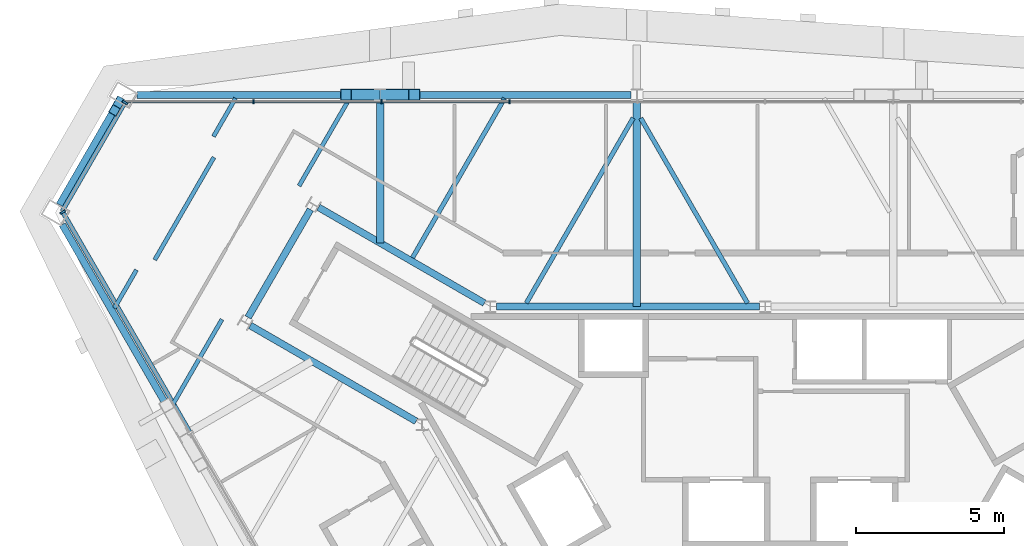
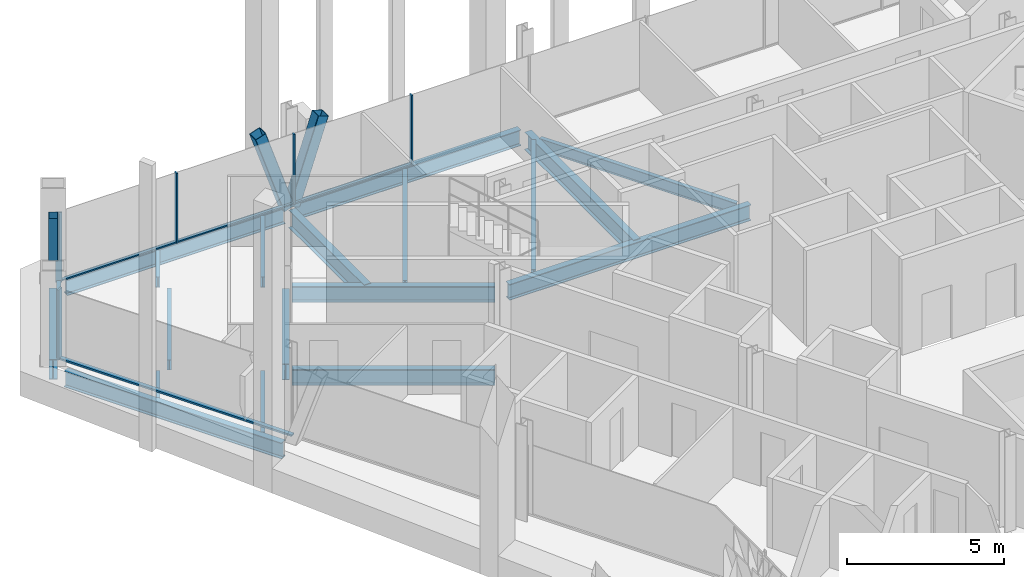
# One storey, part 5 of 14: 18 beams, 13 members, 3 elements without a shape of their own.
"""IFC4 building model written with IfcOpenShell, lengths in metres."""

import ifcopenshell
import ifcopenshell.guid

model = None  # the IFC model being written
_history = None  # IfcOwnerHistory: only IFC2X3 demands one
_inside = {}  # id of a spatial element -> (the spatial element, [elements in it])
_under = {}  # id of a project, library or spatial element -> (it, [spatial elements below it])
_declared = {}  # id of a project -> (the project, [libraries it declares])
_typed = {}  # id of a type object -> (the type object, [elements of that type])
_made_of = {}  # id of a material, layer set ... -> (it, [elements and type objects made of it])


def new_model(schema):
    """Start an empty IFC model of exactly this schema.

    Asked for "IFC4X3", IfcOpenShell would pick the latest addendum, in which some entities
    have other attributes; the version numbers below select the first issue.
    IFC2X3 requires an IfcOwnerHistory on every rooted entity: one is made here for all.
    """
    global model, _history
    if schema == "IFC4X3":
        model = ifcopenshell.file(schema_version=(4, 3, 0, 0))
    else:
        model = ifcopenshell.file(schema=schema)
    _inside.clear()
    _under.clear()
    _declared.clear()
    _typed.clear()
    _made_of.clear()
    _history = None
    if model.schema == "IFC2X3":
        org = make("IfcOrganization", Name="unknown")
        user = make(
            "IfcPersonAndOrganization",
            ThePerson=make("IfcPerson", FamilyName="unknown"),
            TheOrganization=org,
        )
        app = make(
            "IfcApplication",
            ApplicationDeveloper=org,
            Version="unknown",
            ApplicationFullName="unknown",
            ApplicationIdentifier="unknown",
        )
        _history = make(
            "IfcOwnerHistory",
            OwningUser=user,
            OwningApplication=app,
            ChangeAction="ADDED",
            CreationDate=0,
        )
    return model


def make(cls, **values):
    """One entity of the class cls with the attributes given. An attribute that is None is left unset."""
    return model.create_entity(
        cls, **{name: value for name, value in values.items() if value is not None}
    )


def rooted(cls, **values):
    """An entity with a GlobalId (a new one), such as an element, a storey or a relation."""
    return make(cls, GlobalId=ifcopenshell.guid.new(), OwnerHistory=_history, **values)


def si_unit(unit_type, name, prefix=None):
    """IfcSIUnit, for example si_unit("LENGTHUNIT", "METRE", prefix="MILLI")."""
    return make("IfcSIUnit", UnitType=unit_type, Prefix=prefix, Name=name)


def assignment(units):
    """IfcUnitAssignment: the units of a project."""
    return None if units is None else make("IfcUnitAssignment", Units=units)


def point(xyz):
    """IfcCartesianPoint."""
    return None if xyz is None else make("IfcCartesianPoint", Coordinates=xyz)


def direction(xyz):
    """IfcDirection."""
    return None if xyz is None else make("IfcDirection", DirectionRatios=xyz)


def frame(location, z_axis=None, x_axis=None):
    """IfcAxis2Placement3D, a coordinate frame: its origin and axes. An axis left out is left unset."""
    return make(
        "IfcAxis2Placement3D",
        Location=point(location),
        Axis=direction(z_axis),
        RefDirection=direction(x_axis),
    )


def frame_2d(location, x_axis=None):
    """IfcAxis2Placement2D, a coordinate frame in the plane: its origin and x axis."""
    return make(
        "IfcAxis2Placement2D", Location=point(location), RefDirection=direction(x_axis)
    )


def origin():
    """The frame at (0, 0, 0) with its axes left unset."""
    return frame((0.0, 0.0, 0.0))


def origin_2d():
    """The frame at (0, 0) in the plane with its x axis left unset."""
    return frame_2d((0.0, 0.0))


def place(relative_to, where):
    """IfcLocalPlacement: puts the frame where relative to a parent placement (None: the world)."""
    return make(
        "IfcLocalPlacement", PlacementRelTo=relative_to, RelativePlacement=where
    )


def context(
    kind, dimensions, precision=None, world=None, true_north=None, identifier=None
):
    """IfcGeometricRepresentationContext, for example the 3D "Model" context."""
    return make(
        "IfcGeometricRepresentationContext",
        ContextIdentifier=identifier,
        ContextType=kind,
        CoordinateSpaceDimension=dimensions,
        Precision=precision,
        WorldCoordinateSystem=world,
        TrueNorth=true_north,
    )


def subcontext(parent, identifier, kind, view, scale=None):
    """IfcGeometricRepresentationSubContext, for example "Body" below "Model"."""
    return make(
        "IfcGeometricRepresentationSubContext",
        ContextIdentifier=identifier,
        ContextType=kind,
        ParentContext=parent,
        TargetScale=scale,
        TargetView=view,
    )


def project(units=None, contexts=None):
    """IfcProject with its units and contexts."""
    return rooted(
        "IfcProject",
        Name="project",
        RepresentationContexts=contexts,
        UnitsInContext=assignment(units),
    )


def spatial(cls, under=None, at=None, **own):
    """A site, building, storey or space (cls), placed at a placement, below another one or the project."""
    s = rooted(cls, ObjectPlacement=at, **own)
    if under is not None:
        _under.setdefault(under.id(), (under, []))[1].append(s)
    return s


def profile(cls, at=None, kind="AREA", **sizes):
    """A parametric profile (cls). Its sizes go by their IFC names, for example OverallWidth=200.0."""
    return make(cls, ProfileType=kind, Position=at, **sizes)


def rectangle(**sizes):
    """IfcRectangleProfileDef."""
    return profile("IfcRectangleProfileDef", **sizes)


def hollow_rectangle(**sizes):
    """IfcRectangleHollowProfileDef."""
    return profile("IfcRectangleHollowProfileDef", **sizes)


def i_section(**sizes):
    """IfcIShapeProfileDef."""
    return profile("IfcIShapeProfileDef", **sizes)


def extrude(swept, where, along, depth):
    """IfcExtrudedAreaSolid: the profile swept, set in the frame where, extruded along a direction by depth."""
    return make(
        "IfcExtrudedAreaSolid",
        SweptArea=swept,
        Position=where,
        ExtrudedDirection=direction(along),
        Depth=depth,
    )


def shape(context_of_items, identifier, shape_type, items):
    """IfcShapeRepresentation: the items that make up one representation, for example the "Body"."""
    return make(
        "IfcShapeRepresentation",
        ContextOfItems=context_of_items,
        RepresentationIdentifier=identifier,
        RepresentationType=shape_type,
        Items=items,
    )


def material(Name=None, Category=None):
    """IfcMaterial."""
    return make("IfcMaterial", Name=Name, Category=Category)


def material_profile(
    of_material, cross_section, Name=None, Category=None, Priority=None
):
    """IfcMaterialProfile: a cross section and its material."""
    return make(
        "IfcMaterialProfile",
        Name=Name,
        Material=of_material,
        Profile=cross_section,
        Priority=Priority,
        Category=Category,
    )


def profile_set(profiles, Name=None, composite=None):
    """IfcMaterialProfileSet."""
    return make(
        "IfcMaterialProfileSet",
        Name=Name,
        MaterialProfiles=profiles,
        CompositeProfile=composite,
    )


def made_of(thing, what):
    """Note that an element or type object is made of a material, layer set ...; save() writes the relation."""
    if what is not None:
        _made_of.setdefault(what.id(), (what, []))[1].append(thing)
    return thing


def type_object(cls, material=None, **own):
    """A type object (cls), such as IfcWallType, which elements share."""
    return made_of(rooted(cls, **own), material)


def element(
    cls,
    number,
    at=None,
    inside=None,
    cuts=None,
    type_object=None,
    material=None,
    context=None,
    identifier="Body",
    shape_type=None,
    held_by="IfcProductDefinitionShape",
    body=None,
    shapes=None,
    **own,
):
    """One element of the class cls, such as IfcWall. Its Tag is "e" and its number.

    at: its placement. inside: the storey or other place that contains it. cuts: it is an
    opening in that element (IfcRelVoidsElement). A single representation is given by context,
    identifier, shape_type and body (its items); several are given by shapes. held_by: the class
    of the entity that holds the representations. save() writes the other relations.
    """
    e = rooted(cls, Tag="e%d" % number, ObjectPlacement=at, **own)
    if body is not None:
        shapes = [shape(context, identifier, shape_type, body)]
    if shapes is not None:
        e.Representation = make(held_by, Representations=shapes)
    if inside is not None:
        _inside.setdefault(inside.id(), (inside, []))[1].append(e)
    if cuts is not None:
        rooted(
            "IfcRelVoidsElement", RelatingBuildingElement=cuts, RelatedOpeningElement=e
        )
    if type_object is not None:
        _typed.setdefault(type_object.id(), (type_object, []))[1].append(e)
    return made_of(e, material)


def aggregate(whole, parts):
    """IfcRelAggregates: a whole, such as a stair, and the parts it consists of."""
    return rooted("IfcRelAggregates", RelatingObject=whole, RelatedObjects=parts)


def save(model, path):
    """Write the relations noted so far, then the file.

    IfcRelAggregates (storeys below a building ...), IfcRelContainedInSpatialStructure (elements
    in a storey), IfcRelDefinesByType, IfcRelAssociatesMaterial and IfcRelDeclares: one each for
    every whole, place, type object, material and project.
    """
    for whole, parts in _under.values():
        aggregate(whole, parts)
    for where, things in _inside.values():
        rooted(
            "IfcRelContainedInSpatialStructure",
            RelatedElements=things,
            RelatingStructure=where,
        )
    for kind, things in _typed.values():
        rooted("IfcRelDefinesByType", RelatedObjects=things, RelatingType=kind)
    for what, things in _made_of.values():
        rooted("IfcRelAssociatesMaterial", RelatedObjects=things, RelatingMaterial=what)
    for by, libraries in _declared.values():
        rooted("IfcRelDeclares", RelatingContext=by, RelatedDefinitions=libraries)
    model.write(path)


model = new_model("IFC4")

# Units and contexts
model_context = context("Model", 3, precision=1e-05, world=origin(), true_north=direction((0.0, 1.0)))
body_context = subcontext(model_context, "Body", "Model", "MODEL_VIEW")
ifc_project = project(units=[si_unit("LENGTHUNIT", "METRE"), si_unit("AREAUNIT", "SQUARE_METRE"), si_unit("VOLUMEUNIT", "CUBIC_METRE"), si_unit("PLANEANGLEUNIT", "RADIAN"), si_unit("MASSUNIT", "GRAM", prefix="KILO")], contexts=[model_context])

# Site, building, storey
site_placement = place(None, origin())
site = spatial("IfcSite", under=ifc_project, at=site_placement, CompositionType="ELEMENT")
building_placement = place(site_placement, origin())
building = spatial("IfcBuilding", under=site, at=building_placement, Name="Verrane Prism Tower", CompositionType="ELEMENT")
storey_placement = place(building_placement, frame((0.0, 0.0, 206.39990234375)))
storey = spatial("IfcBuildingStorey", under=building, at=storey_placement, Name="L51", CompositionType="ELEMENT", Elevation=206.39990234375)

# Member
ifc_material_1 = material(Name="Steel A500 Grade C", Category="steel")
ifc_material_profile_1 = material_profile(ifc_material_1, hollow_rectangle(XDim=0.3046875, YDim=0.3046875, WallThickness=0.0126953125, InnerFilletRadius=0.00634765625, OuterFilletRadius=0.01904296875, at=origin_2d()), Name="HSS12x12x1/2")
ifc_profile_set_1 = profile_set([ifc_material_profile_1], Name="Steel A500 Grade C")
member_type_1 = type_object("IfcMemberType", Name="Chamfer brace HSS12x12x1/2", PredefinedType="BRACE", material=ifc_profile_set_1)
member_1_placement = place(storey_placement, frame((-21.7548828125, 14.89599609375, 0.987548828125), z_axis=(-0.087040332453, -0.150912576415, 0.984707761118), x_axis=(0.866246739111, -0.499616439861, 0.0)))
element("IfcMember", 1, at=member_1_placement, inside=storey, type_object=member_type_1, Name="Chamfer brace NW0 L51", PredefinedType="BRACE", context=body_context, shape_type="SweptSolid", body=[
    extrude(hollow_rectangle(XDim=0.3046875, YDim=0.3046875, WallThickness=0.0126953125, InnerFilletRadius=0.00634765625, OuterFilletRadius=0.01904296875, at=origin_2d()), origin(), (0.0, 0.0, 1.0), 1.9072265625),
])

# Beams
ifc_material_2 = material(Name="Steel A992", Category="steel")
ifc_material_profile_2 = material_profile(ifc_material_2, i_section(OverallWidth=0.2666015625, OverallDepth=0.7568359375, WebThickness=0.013916015625, FlangeThickness=0.019287109375, FilletRadius=0.0166015625, at=origin_2d()), Name="W30x108")
ifc_profile_set_2 = profile_set([ifc_material_profile_2], Name="Steel A992")
beam_type_1 = type_object("IfcBeamType", Name="Chamfer spandrel beam W30x108", PredefinedType="SPANDREL", material=ifc_profile_set_2)
beam_1_placement = place(storey_placement, frame((-21.77001953125, 14.8701171875, -0.538330078125), z_axis=(-0.499626934201, -0.866240686311, 0.0), x_axis=(0.866240686311, -0.499626934201, 0.0)))
element("IfcBeam", 2, at=beam_1_placement, inside=storey, type_object=beam_type_1, Name="Chamfer spandrel beam L51", PredefinedType="SPANDREL", context=body_context, shape_type="SweptSolid", body=[
    extrude(i_section(OverallWidth=0.2666015625, OverallDepth=0.7568359375, WebThickness=0.013916015625, FlangeThickness=0.019287109375, FilletRadius=0.0166015625, at=origin_2d()), origin(), (0.0, 0.0, 1.0), 3.98291015625),
])
ifc_material_3 = material(Name="Steel A992", Category="steel")
ifc_material_profile_3 = material_profile(ifc_material_3, i_section(OverallWidth=0.23046875, OverallDepth=0.6171875, WebThickness=0.01318359375, FlangeThickness=0.022216796875, FilletRadius=0.012939453125, at=origin_2d()), Name="W24x94")
ifc_profile_set_3 = profile_set([ifc_material_profile_3], Name="Steel A992")
beam_type_2 = type_object("IfcBeamType", Name="Core ring girder W24x94", PredefinedType="BEAM", material=ifc_profile_set_3)
beam_2_placement = place(storey_placement, frame((-0.199462890625, 8.0, -0.55859375), z_axis=(-1.0, 0.0, 0.0), x_axis=(0.0, -1.0, 0.0)))
element("IfcBeam", 3, at=beam_2_placement, inside=storey, type_object=beam_type_2, Name="Core ring girder L51", PredefinedType="BEAM", context=body_context, shape_type="SweptSolid", body=[
    extrude(i_section(OverallWidth=0.23046875, OverallDepth=0.6171875, WebThickness=0.01318359375, FlangeThickness=0.022216796875, FilletRadius=0.012939453125, at=origin_2d()), origin(), (0.0, 0.0, 1.0), 8.861083984375),
])
beam_3_placement = place(storey_placement, frame((-9.45947265625, 8.114990234375, -0.55859375), z_axis=(-0.866080992722, 0.499903704773, 0.0), x_axis=(-0.499903704773, -0.866080992722, 0.0)))
element("IfcBeam", 4, at=beam_3_placement, inside=storey, type_object=beam_type_2, Name="Core ring girder L51", PredefinedType="BEAM", context=body_context, shape_type="SweptSolid", body=[
    extrude(i_section(OverallWidth=0.23046875, OverallDepth=0.6171875, WebThickness=0.01318359375, FlangeThickness=0.022216796875, FilletRadius=0.012939453125, at=origin_2d()), origin(), (0.0, 0.0, 1.0), 6.451904296875),
])
beam_4_placement = place(storey_placement, frame((-15.3203125, 11.266357421875, -0.55859375), z_axis=(-0.500375511519, -0.865808493532, 0.0), x_axis=(0.865808493532, -0.500375511519, 0.0)))
element("IfcBeam", 5, at=beam_4_placement, inside=storey, type_object=beam_type_2, Name="Core ring girder L51", PredefinedType="BEAM", context=body_context, shape_type="SweptSolid", body=[
    extrude(i_section(OverallWidth=0.23046875, OverallDepth=0.6171875, WebThickness=0.01318359375, FlangeThickness=0.022216796875, FilletRadius=0.012939453125, at=origin_2d()), origin(), (0.0, 0.0, 1.0), 4.195556640625),
])
beam_5_placement = place(storey_placement, frame((-17.347412109375, 7.3603515625, -0.55859375), z_axis=(0.866080992722, -0.499903704773, 0.0), x_axis=(0.499903704773, 0.866080992722, 0.0)))
element("IfcBeam", 6, at=beam_5_placement, inside=storey, type_object=beam_type_2, Name="Core ring girder L51", PredefinedType="BEAM", context=body_context, shape_type="SweptSolid", body=[
    extrude(i_section(OverallWidth=0.23046875, OverallDepth=0.6171875, WebThickness=0.01318359375, FlangeThickness=0.022216796875, FilletRadius=0.012939453125, at=origin_2d()), origin(), (0.0, 0.0, 1.0), 6.451904296875),
])

# Members
ifc_material_4 = material(Name="Steel A500 Grade C", Category="steel")
ifc_material_profile_4 = material_profile(ifc_material_4, hollow_rectangle(XDim=0.406494140625, YDim=0.406494140625, WallThickness=0.01904296875, InnerFilletRadius=0.009521484375, OuterFilletRadius=0.028564453125, at=origin_2d()), Name="HSS16x16x3/4")
ifc_profile_set_4 = profile_set([ifc_material_profile_4], Name="Steel A500 Grade C")
member_type_2 = type_object("IfcMemberType", Name="Facade brace HSS16x16x3/4", PredefinedType="BRACE", material=ifc_profile_set_4)
for number, where, z_axis, x_axis, name in (
    (7, (-12.870849609375, 15.1298828125, -0.171630859375), (0.316800904086, 0.0, 0.948492059624), (0.0, 1.0, 0.0), "Facade brace N3 L51"),
    (8, (-13.069091796875, 15.1298828125, -0.171630859375), (-0.316800904086, 0.0, 0.948492059624), (0.0, -1.0, 0.0), "Facade brace N4 L51"),
):
    element("IfcMember", number, at=place(storey_placement, frame(where, z_axis=z_axis, x_axis=x_axis)), inside=storey, type_object=member_type_2, Name=name, PredefinedType="BRACE", context=body_context, shape_type="SweptSolid", body=[
        extrude(hollow_rectangle(XDim=0.406494140625, YDim=0.406494140625, WallThickness=0.01904296875, InnerFilletRadius=0.009521484375, OuterFilletRadius=0.028564453125, at=origin_2d()), origin(), (0.0, 0.0, 1.0), 3.322265625),
    ])

# Beams
ifc_material_5 = material(Name="Steel A992", Category="steel")
ifc_material_profile_5 = material_profile(ifc_material_5, i_section(OverallWidth=0.140380859375, OverallDepth=0.40380859375, WebThickness=0.007080078125, FlangeThickness=0.01123046875, FilletRadius=0.01025390625, at=origin_2d()), Name="W16x31")
ifc_profile_set_5 = profile_set([ifc_material_profile_5], Name="Steel A992")
beam_type_3 = type_object("IfcBeamType", Name="Floor beam W16x31", PredefinedType="BEAM", material=ifc_profile_set_5)
beam_6_placement = place(storey_placement, frame((-15.702392578125, 12.064453125, -0.36181640625), z_axis=(0.49998505825, 0.866034030236, 0.0), x_axis=(-0.866034030236, 0.49998505825, 0.0)))
element("IfcBeam", 9, at=beam_6_placement, inside=storey, type_object=beam_type_3, Name="Floor beam L51", PredefinedType="BEAM", context=body_context, shape_type="SweptSolid", body=[
    extrude(i_section(OverallWidth=0.140380859375, OverallDepth=0.40380859375, WebThickness=0.007080078125, FlangeThickness=0.01123046875, FilletRadius=0.01025390625, at=origin_2d()), origin(), (0.0, 0.0, 1.0), 3.40673828125),
])
beam_7_placement = place(storey_placement, frame((-18.586181640625, 13.727294921875, -0.36181640625), z_axis=(0.500006734102, 0.866021515814, 0.0), x_axis=(-0.866021515814, 0.500006734102, 0.0)))
element("IfcBeam", 10, at=beam_7_placement, inside=storey, type_object=beam_type_3, Name="Floor beam L51", PredefinedType="BEAM", context=body_context, shape_type="SweptSolid", body=[
    extrude(i_section(OverallWidth=0.140380859375, OverallDepth=0.40380859375, WebThickness=0.007080078125, FlangeThickness=0.01123046875, FilletRadius=0.01025390625, at=origin_2d()), origin(), (0.0, 0.0, 1.0), 1.48681640625),
])
beam_8_placement = place(storey_placement, frame((-20.00341796875, 4.61669921875, -0.36181640625), z_axis=(0.500041054325, 0.866001699761, 0.0), x_axis=(-0.866001699761, 0.500041054325, 0.0)))
element("IfcBeam", 11, at=beam_8_placement, inside=storey, type_object=beam_type_3, Name="Floor beam L51", PredefinedType="BEAM", context=body_context, shape_type="SweptSolid", body=[
    extrude(i_section(OverallWidth=0.140380859375, OverallDepth=0.40380859375, WebThickness=0.007080078125, FlangeThickness=0.01123046875, FilletRadius=0.01025390625, at=origin_2d()), origin(), (0.0, 0.0, 1.0), 3.405029296875),
])
beam_9_placement = place(storey_placement, frame((-21.92333984375, 7.94580078125, -0.36181640625), z_axis=(0.499902584933, 0.866081639095, 0.0), x_axis=(-0.866081639095, 0.499902584933, 0.0)))
element("IfcBeam", 12, at=beam_9_placement, inside=storey, type_object=beam_type_3, Name="Floor beam L51", PredefinedType="BEAM", context=body_context, shape_type="SweptSolid", body=[
    extrude(i_section(OverallWidth=0.140380859375, OverallDepth=0.40380859375, WebThickness=0.007080078125, FlangeThickness=0.01123046875, FilletRadius=0.01025390625, at=origin_2d()), origin(), (0.0, 0.0, 1.0), 1.486083984375),
])
beam_10_placement = place(storey_placement, frame((-20.56494140625, 9.56982421875, -0.36181640625), z_axis=(0.499989060909, 0.866031719379, 0.0), x_axis=(-0.866031719379, 0.499989060909, 0.0)))
element("IfcBeam", 13, at=beam_10_placement, inside=storey, type_object=beam_type_3, Name="Floor beam L51", PredefinedType="BEAM", context=body_context, shape_type="SweptSolid", body=[
    extrude(i_section(OverallWidth=0.140380859375, OverallDepth=0.40380859375, WebThickness=0.007080078125, FlangeThickness=0.01123046875, FilletRadius=0.01025390625, at=origin_2d()), origin(), (0.0, 0.0, 1.0), 3.98974609375),
])
ifc_material_6 = material(Name="Steel A992", Category="steel")
ifc_material_profile_6 = material_profile(ifc_material_6, i_section(OverallWidth=0.15234375, OverallDepth=0.449462890625, WebThickness=0.007568359375, FlangeThickness=0.0107421875, FilletRadius=0.01025390625, at=origin_2d()), Name="W18x35")
ifc_profile_set_6 = profile_set([ifc_material_profile_6], Name="Steel A992")
beam_type_4 = type_object("IfcBeamType", Name="Floor beam W18x35", PredefinedType="BEAM", material=ifc_profile_set_6)
beam_11_placement = place(storey_placement, frame((-0.59619140625, 8.114990234375, -0.384765625), z_axis=(-0.500004475467, 0.866022819857, 0.0), x_axis=(-0.866022819857, -0.500004475467, 0.0)))
element("IfcBeam", 14, at=beam_11_placement, inside=storey, type_object=beam_type_4, Name="Floor beam L51", PredefinedType="BEAM", context=body_context, shape_type="SweptSolid", body=[
    extrude(i_section(OverallWidth=0.15234375, OverallDepth=0.449462890625, WebThickness=0.007568359375, FlangeThickness=0.0107421875, FilletRadius=0.01025390625, at=origin_2d()), origin(), (0.0, 0.0, 1.0), 7.19384765625),
])
beam_12_placement = place(storey_placement, frame((-8.047119140625, 8.114990234375, -0.384765625), z_axis=(0.499982693035, 0.866035395735, 0.0), x_axis=(-0.866035395735, 0.499982693035, 0.0)))
element("IfcBeam", 15, at=beam_12_placement, inside=storey, type_object=beam_type_4, Name="Floor beam L51", PredefinedType="BEAM", context=body_context, shape_type="SweptSolid", body=[
    extrude(i_section(OverallWidth=0.15234375, OverallDepth=0.449462890625, WebThickness=0.007568359375, FlangeThickness=0.0107421875, FilletRadius=0.01025390625, at=origin_2d()), origin(), (0.0, 0.0, 1.0), 7.200439453125),
])
beam_13_placement = place(storey_placement, frame((-11.88134765625, 9.644775390625, -0.384765625), z_axis=(0.499988291006, 0.866032163869, 0.0), x_axis=(-0.866032163869, 0.499988291006, 0.0)))
element("IfcBeam", 16, at=beam_13_placement, inside=storey, type_object=beam_type_4, Name="Floor beam L51", PredefinedType="BEAM", context=body_context, shape_type="SweptSolid", body=[
    extrude(i_section(OverallWidth=0.15234375, OverallDepth=0.449462890625, WebThickness=0.007568359375, FlangeThickness=0.0107421875, FilletRadius=0.01025390625, at=origin_2d()), origin(), (0.0, 0.0, 1.0), 6.200927734375),
])

# Curtain wall, members
ifc_material_7 = material(Name="Aluminium framed insulated glazing", Category="aluminium")
curtain_wall_type_1 = type_object("IfcCurtainWallType", Name="Curtain wall CW-C 4200 module", PredefinedType="NOTDEFINED", material=ifc_material_7)
curtain_wall_1_placement = place(storey_placement, origin())
curtain_wall_1 = element("IfcCurtainWall", 17, at=curtain_wall_1_placement, inside=storey, type_object=curtain_wall_type_1, Name="Glazed curtain wall north face L51", PredefinedType="NOTDEFINED")
ifc_material_8 = material(Name="Aluminium alloy 6063-T6", Category="aluminium")
ifc_material_profile_7 = material_profile(ifc_material_8, rectangle(XDim=0.139892578125, YDim=0.050048828125, at=origin_2d()), Name="Mullion 50x140 aluminium")
ifc_profile_set_7 = profile_set([ifc_material_profile_7], Name="Aluminium alloy 6063-T6")
member_type_3 = type_object("IfcMemberType", Name="Mullion 50x140 aluminium", PredefinedType="MULLION", material=ifc_profile_set_7)
member_2_placement = place(storey_placement, frame((-8.620361328125, 14.90185546875, 0.0), z_axis=(0.0, 0.0, 1.0), x_axis=(0.0, -1.0, 0.0)))
member_2 = element("IfcMember", 18, at=member_2_placement, type_object=member_type_3, Name="CW51.2 mullion 8", PredefinedType="MULLION", context=body_context, shape_type="SweptSolid", body=[
    extrude(rectangle(XDim=0.139892578125, YDim=0.050048828125, at=origin_2d()), origin(), (0.0, 0.0, 1.0), 2.712890625),
])
member_3_placement = place(storey_placement, frame((-12.930419921875, 14.90185546875, 0.0), z_axis=(0.0, 0.0, 1.0), x_axis=(0.0, -1.0, 0.0)))
member_3 = element("IfcMember", 19, at=member_3_placement, type_object=member_type_3, Name="CW51.2 mullion 9", PredefinedType="MULLION", context=body_context, shape_type="SweptSolid", body=[
    extrude(rectangle(XDim=0.139892578125, YDim=0.050048828125, at=origin_2d()), origin(), (0.0, 0.0, 1.0), 2.712890625),
])
member_4_placement = place(storey_placement, frame((-17.24072265625, 14.90185546875, 0.0), z_axis=(0.0, 0.0, 1.0), x_axis=(0.0, -1.0, 0.0)))
member_4 = element("IfcMember", 20, at=member_4_placement, type_object=member_type_3, Name="CW51.2 mullion 10", PredefinedType="MULLION", context=body_context, shape_type="SweptSolid", body=[
    extrude(rectangle(XDim=0.139892578125, YDim=0.050048828125, at=origin_2d()), origin(), (0.0, 0.0, 1.0), 2.712890625),
])

# Curtain wall, member
ifc_material_9 = material(Name="Aluminium framed insulated glazing", Category="aluminium")
curtain_wall_type_2 = type_object("IfcCurtainWallType", Name="Curtain wall CW-A 8400 module", PredefinedType="NOTDEFINED", material=ifc_material_9)
curtain_wall_2_placement = place(storey_placement, origin())
curtain_wall_2 = element("IfcCurtainWall", 21, at=curtain_wall_2_placement, inside=storey, type_object=curtain_wall_type_2, Name="Glazed curtain wall north-west corner L51", PredefinedType="NOTDEFINED")
ifc_material_10 = material(Name="Aluminium alloy 6063-T6", Category="aluminium")
ifc_material_profile_8 = material_profile(ifc_material_10, rectangle(XDim=0.199951171875, YDim=0.070068359375, at=origin_2d()), Name="Mullion 70x200 aluminium")
ifc_profile_set_8 = profile_set([ifc_material_profile_8], Name="Aluminium alloy 6063-T6")
member_type_4 = type_object("IfcMemberType", Name="Mullion 70x200 aluminium", PredefinedType="MULLION", material=ifc_profile_set_8)
member_5_placement = place(storey_placement, frame((-21.568359375, 14.87158203125, 0.0), z_axis=(0.0, 0.0, 1.0), x_axis=(0.866025696345, -0.49999949327, 0.0)))
member_5 = element("IfcMember", 22, at=member_5_placement, type_object=member_type_4, Name="CW51.3 mullion 1", PredefinedType="MULLION", context=body_context, shape_type="SweptSolid", body=[
    extrude(rectangle(XDim=0.199951171875, YDim=0.070068359375, at=origin_2d()), origin(), (0.0, 0.0, 1.0), 2.712890625),
])

curtain_wall_3_placement = place(storey_placement, origin())
curtain_wall_3 = element("IfcCurtainWall", 23, at=curtain_wall_3_placement, inside=storey, type_object=curtain_wall_type_2, Name="Glazed curtain wall south-west face L51", PredefinedType="NOTDEFINED")
member_6_placement = place(storey_placement, frame((-23.6630859375, 11.182373046875, 0.0), z_axis=(0.0, 0.0, 1.0), x_axis=(0.866026096662, 0.499998799899, 0.0)))
member_6 = element("IfcMember", 24, at=member_6_placement, type_object=member_type_4, Name="CW51.4 mullion 1", PredefinedType="MULLION", context=body_context, shape_type="SweptSolid", body=[
    extrude(rectangle(XDim=0.199951171875, YDim=0.070068359375, at=origin_2d()), origin(), (0.0, 0.0, 1.0), 2.712890625),
])

# Beams
ifc_material_11 = material(Name="Steel A992", Category="steel")
ifc_material_profile_9 = material_profile(ifc_material_11, i_section(OverallWidth=0.25390625, OverallDepth=0.683349609375, WebThickness=0.012451171875, FlangeThickness=0.01904296875, FilletRadius=0.01513671875, at=origin_2d()), Name="W27x94")
ifc_profile_set_9 = profile_set([ifc_material_profile_9], Name="Steel A992")
beam_type_5 = type_object("IfcBeamType", Name="Radial girder W27x94", PredefinedType="BEAM", material=ifc_profile_set_9)
beam_14_placement = place(storey_placement, frame((-4.320068359375, 14.9306640625, -0.5615234375), z_axis=(0.0, -1.0, 0.0), x_axis=(1.0, 0.0, 0.0)))
element("IfcBeam", 25, at=beam_14_placement, inside=storey, type_object=beam_type_5, Name="Radial girder L51", PredefinedType="BEAM", context=body_context, shape_type="SweptSolid", body=[
    extrude(i_section(OverallWidth=0.25390625, OverallDepth=0.683349609375, WebThickness=0.012451171875, FlangeThickness=0.01904296875, FilletRadius=0.01513671875, at=origin_2d()), origin(), (0.0, 0.0, 1.0), 6.9306640625),
])
beam_15_placement = place(storey_placement, frame((-12.969970703125, 14.9306640625, -0.5615234375), z_axis=(0.0, -1.0, 0.0), x_axis=(1.0, 0.0, 0.0)))
element("IfcBeam", 26, at=beam_15_placement, inside=storey, type_object=beam_type_5, Name="Radial girder L51", PredefinedType="BEAM", context=body_context, shape_type="SweptSolid", body=[
    extrude(i_section(OverallWidth=0.25390625, OverallDepth=0.683349609375, WebThickness=0.012451171875, FlangeThickness=0.01904296875, FilletRadius=0.01513671875, at=origin_2d()), origin(), (0.0, 0.0, 1.0), 4.789306640625),
])
ifc_material_12 = material(Name="Steel A992", Category="steel")
ifc_material_profile_10 = material_profile(ifc_material_12, i_section(OverallWidth=0.23046875, OverallDepth=0.6171875, WebThickness=0.01318359375, FlangeThickness=0.022216796875, FilletRadius=0.012939453125, at=origin_2d()), Name="W24x94")
ifc_profile_set_10 = profile_set([ifc_material_profile_10], Name="Steel A992")
beam_type_6 = type_object("IfcBeamType", Name="Spandrel beam W24x94", PredefinedType="SPANDREL", material=ifc_profile_set_10)
beam_16_placement = place(storey_placement, frame((-4.520751953125, 15.1298828125, -0.468505859375), z_axis=(-1.0, 0.0, 0.0), x_axis=(0.0, -1.0, 0.0)))
element("IfcBeam", 27, at=beam_16_placement, inside=storey, type_object=beam_type_6, Name="Spandrel beam L51", PredefinedType="SPANDREL", context=body_context, shape_type="SweptSolid", body=[
    extrude(i_section(OverallWidth=0.23046875, OverallDepth=0.6171875, WebThickness=0.01318359375, FlangeThickness=0.022216796875, FilletRadius=0.012939453125, at=origin_2d()), origin(), (0.0, 0.0, 1.0), 8.24853515625),
])
beam_17_placement = place(storey_placement, frame((-13.170654296875, 15.1298828125, -0.468505859375), z_axis=(-1.0, 0.0, 0.0), x_axis=(0.0, -1.0, 0.0)))
element("IfcBeam", 28, at=beam_17_placement, inside=storey, type_object=beam_type_6, Name="Spandrel beam L51", PredefinedType="SPANDREL", context=body_context, shape_type="SweptSolid", body=[
    extrude(i_section(OverallWidth=0.23046875, OverallDepth=0.6171875, WebThickness=0.01318359375, FlangeThickness=0.022216796875, FilletRadius=0.012939453125, at=origin_2d()), origin(), (0.0, 0.0, 1.0), 7.987548828125),
])
beam_18_placement = place(storey_placement, frame((-23.67919921875, 10.759765625, -0.468505859375), z_axis=(0.499628915067, -0.866239543792, 0.0), x_axis=(0.866239543792, 0.499628915067, 0.0)))
element("IfcBeam", 29, at=beam_18_placement, inside=storey, type_object=beam_type_6, Name="Spandrel beam L51", PredefinedType="SPANDREL", context=body_context, shape_type="SweptSolid", body=[
    extrude(i_section(OverallWidth=0.23046875, OverallDepth=0.6171875, WebThickness=0.01318359375, FlangeThickness=0.022216796875, FilletRadius=0.012939453125, at=origin_2d()), origin(), (0.0, 0.0, 1.0), 7.98388671875),
])

# Member
ifc_material_13 = material(Name="Aluminium alloy 6063-T6", Category="aluminium")
ifc_material_profile_11 = material_profile(ifc_material_13, rectangle(XDim=0.10009765625, YDim=0.050048828125, at=origin_2d()), Name="Transom 50x100 aluminium")
ifc_profile_set_11 = profile_set([ifc_material_profile_11], Name="Aluminium alloy 6063-T6")
member_type_5 = type_object("IfcMemberType", Name="Transom 50x100 aluminium", PredefinedType="USERDEFINED", material=ifc_profile_set_11)
member_7_placement = place(storey_placement, frame((-8.645263671875, 14.90185546875, 0.025146484375), z_axis=(-1.0, 0.0, 0.0), x_axis=(0.0, -1.0, 0.0)))
member_7 = element("IfcMember", 30, at=member_7_placement, type_object=member_type_5, Name="CW51.2 transom 8", ObjectType="TRANSOM", PredefinedType="USERDEFINED", context=body_context, shape_type="SweptSolid", body=[
    extrude(rectangle(XDim=0.10009765625, YDim=0.050048828125, at=origin_2d()), origin(), (0.0, 0.0, 1.0), 4.26025390625),
])

member_8_placement = place(storey_placement, frame((-12.95556640625, 14.90185546875, 0.025146484375), z_axis=(-1.0, 0.0, 0.0), x_axis=(0.0, -1.0, 0.0)))
member_8 = element("IfcMember", 31, at=member_8_placement, type_object=member_type_5, Name="CW51.2 transom 9", ObjectType="TRANSOM", PredefinedType="USERDEFINED", context=body_context, shape_type="SweptSolid", body=[
    extrude(rectangle(XDim=0.10009765625, YDim=0.050048828125, at=origin_2d()), origin(), (0.0, 0.0, 1.0), 4.260009765625),
])

member_9_placement = place(storey_placement, frame((-17.265625, 14.90185546875, 0.025146484375), z_axis=(-1.0, 0.0, 0.0), x_axis=(0.0, -1.0, 0.0)))
member_9 = element("IfcMember", 32, at=member_9_placement, type_object=member_type_5, Name="CW51.2 transom 10", ObjectType="TRANSOM", PredefinedType="USERDEFINED", context=body_context, shape_type="SweptSolid", body=[
    extrude(rectangle(XDim=0.10009765625, YDim=0.050048828125, at=origin_2d()), origin(), (0.0, 0.0, 1.0), 4.28515625),
])

aggregate(curtain_wall_1, [member_2, member_3, member_4, member_7, member_8, member_9])

ifc_material_14 = material(Name="Aluminium alloy 6063-T6", Category="aluminium")
ifc_material_profile_12 = material_profile(ifc_material_14, rectangle(XDim=0.14990234375, YDim=0.070068359375, at=origin_2d()), Name="Transom 70x150 aluminium")
ifc_profile_set_12 = profile_set([ifc_material_profile_12], Name="Aluminium alloy 6063-T6")
member_type_6 = type_object("IfcMemberType", Name="Transom 70x150 aluminium", PredefinedType="USERDEFINED", material=ifc_profile_set_12)
member_10_placement = place(storey_placement, frame((-21.585693359375, 14.841064453125, 0.03515625), z_axis=(-0.500018368146, -0.86601479867, 0.0), x_axis=(0.86601479867, -0.500018368146, 0.0)))
member_10 = element("IfcMember", 33, at=member_10_placement, type_object=member_type_6, Name="CW51.3 transom 1", ObjectType="TRANSOM", PredefinedType="USERDEFINED", context=body_context, shape_type="SweptSolid", body=[
    extrude(rectangle(XDim=0.14990234375, YDim=0.070068359375, at=origin_2d()), origin(), (0.0, 0.0, 1.0), 4.189697265625),
])

aggregate(curtain_wall_2, [member_5, member_10])

member_11_placement = place(storey_placement, frame((-23.645751953125, 11.152099609375, 0.03515625), z_axis=(0.500011993549, -0.866018479195, 0.0), x_axis=(0.866018479195, 0.500011993549, 0.0)))
member_11 = element("IfcMember", 34, at=member_11_placement, type_object=member_type_6, Name="CW51.4 transom 1", ObjectType="TRANSOM", PredefinedType="USERDEFINED", context=body_context, shape_type="SweptSolid", body=[
    extrude(rectangle(XDim=0.14990234375, YDim=0.070068359375, at=origin_2d()), origin(), (0.0, 0.0, 1.0), 8.515380859375),
])

aggregate(curtain_wall_3, [member_6, member_11])

save(model, "model.ifc")
